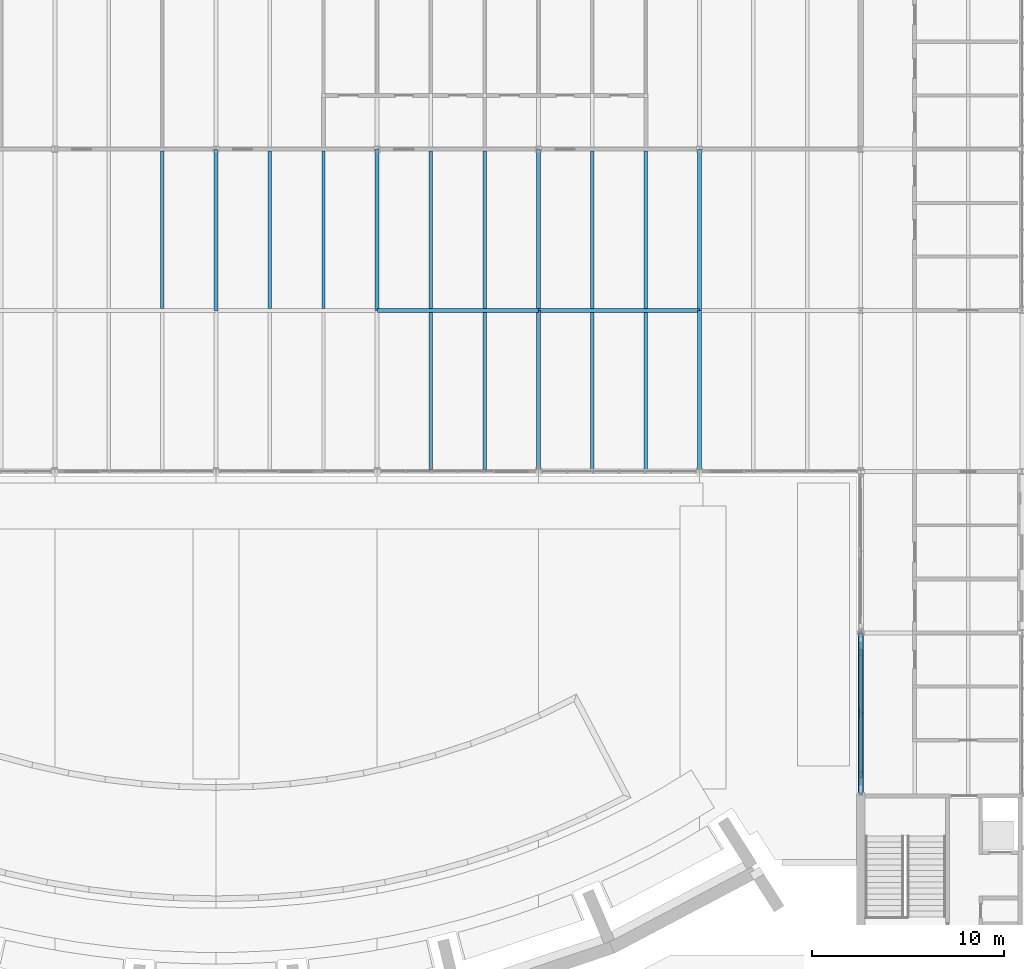
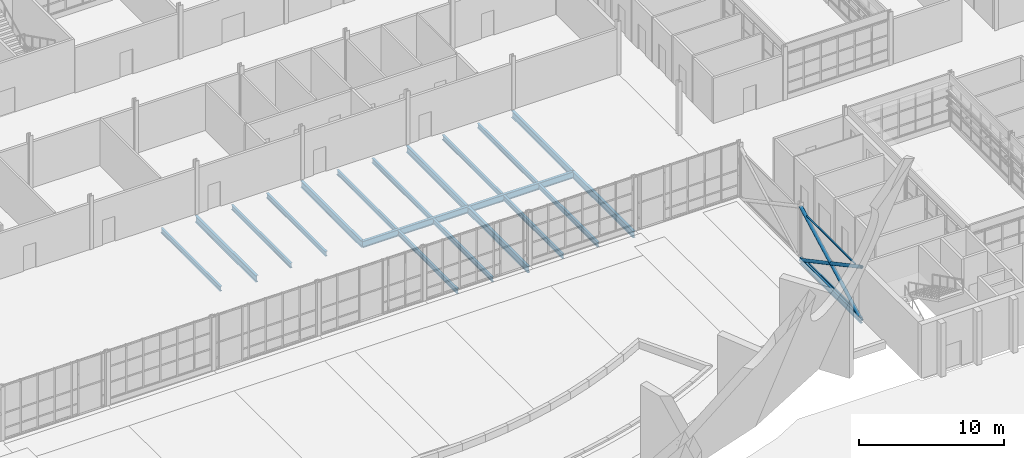
# One storey, part 45 of 116: 20 beams, 5 members, 1 element without a shape of its own.
"""IFC4 building model written with IfcOpenShell, lengths in metres."""

import ifcopenshell
import ifcopenshell.guid

model = None  # the IFC model being written
_history = None  # IfcOwnerHistory: only IFC2X3 demands one
_inside = {}  # id of a spatial element -> (the spatial element, [elements in it])
_under = {}  # id of a project, library or spatial element -> (it, [spatial elements below it])
_declared = {}  # id of a project -> (the project, [libraries it declares])
_typed = {}  # id of a type object -> (the type object, [elements of that type])
_made_of = {}  # id of a material, layer set ... -> (it, [elements and type objects made of it])


def new_model(schema):
    """Start an empty IFC model of exactly this schema.

    Asked for "IFC4X3", IfcOpenShell would pick the latest addendum, in which some entities
    have other attributes; the version numbers below select the first issue.
    IFC2X3 requires an IfcOwnerHistory on every rooted entity: one is made here for all.
    """
    global model, _history
    if schema == "IFC4X3":
        model = ifcopenshell.file(schema_version=(4, 3, 0, 0))
    else:
        model = ifcopenshell.file(schema=schema)
    _inside.clear()
    _under.clear()
    _declared.clear()
    _typed.clear()
    _made_of.clear()
    _history = None
    if model.schema == "IFC2X3":
        org = make("IfcOrganization", Name="unknown")
        user = make(
            "IfcPersonAndOrganization",
            ThePerson=make("IfcPerson", FamilyName="unknown"),
            TheOrganization=org,
        )
        app = make(
            "IfcApplication",
            ApplicationDeveloper=org,
            Version="unknown",
            ApplicationFullName="unknown",
            ApplicationIdentifier="unknown",
        )
        _history = make(
            "IfcOwnerHistory",
            OwningUser=user,
            OwningApplication=app,
            ChangeAction="ADDED",
            CreationDate=0,
        )
    return model


def make(cls, **values):
    """One entity of the class cls with the attributes given. An attribute that is None is left unset."""
    return model.create_entity(
        cls, **{name: value for name, value in values.items() if value is not None}
    )


def rooted(cls, **values):
    """An entity with a GlobalId (a new one), such as an element, a storey or a relation."""
    return make(cls, GlobalId=ifcopenshell.guid.new(), OwnerHistory=_history, **values)


def si_unit(unit_type, name, prefix=None):
    """IfcSIUnit, for example si_unit("LENGTHUNIT", "METRE", prefix="MILLI")."""
    return make("IfcSIUnit", UnitType=unit_type, Prefix=prefix, Name=name)


def assignment(units):
    """IfcUnitAssignment: the units of a project."""
    return None if units is None else make("IfcUnitAssignment", Units=units)


def point(xyz):
    """IfcCartesianPoint."""
    return None if xyz is None else make("IfcCartesianPoint", Coordinates=xyz)


def direction(xyz):
    """IfcDirection."""
    return None if xyz is None else make("IfcDirection", DirectionRatios=xyz)


def frame(location, z_axis=None, x_axis=None):
    """IfcAxis2Placement3D, a coordinate frame: its origin and axes. An axis left out is left unset."""
    return make(
        "IfcAxis2Placement3D",
        Location=point(location),
        Axis=direction(z_axis),
        RefDirection=direction(x_axis),
    )


def frame_2d(location, x_axis=None):
    """IfcAxis2Placement2D, a coordinate frame in the plane: its origin and x axis."""
    return make(
        "IfcAxis2Placement2D", Location=point(location), RefDirection=direction(x_axis)
    )


def origin():
    """The frame at (0, 0, 0) with its axes left unset."""
    return frame((0.0, 0.0, 0.0))


def origin_2d():
    """The frame at (0, 0) in the plane with its x axis left unset."""
    return frame_2d((0.0, 0.0))


def place(relative_to, where):
    """IfcLocalPlacement: puts the frame where relative to a parent placement (None: the world)."""
    return make(
        "IfcLocalPlacement", PlacementRelTo=relative_to, RelativePlacement=where
    )


def context(
    kind, dimensions, precision=None, world=None, true_north=None, identifier=None
):
    """IfcGeometricRepresentationContext, for example the 3D "Model" context."""
    return make(
        "IfcGeometricRepresentationContext",
        ContextIdentifier=identifier,
        ContextType=kind,
        CoordinateSpaceDimension=dimensions,
        Precision=precision,
        WorldCoordinateSystem=world,
        TrueNorth=true_north,
    )


def subcontext(parent, identifier, kind, view, scale=None):
    """IfcGeometricRepresentationSubContext, for example "Body" below "Model"."""
    return make(
        "IfcGeometricRepresentationSubContext",
        ContextIdentifier=identifier,
        ContextType=kind,
        ParentContext=parent,
        TargetScale=scale,
        TargetView=view,
    )


def project(units=None, contexts=None):
    """IfcProject with its units and contexts."""
    return rooted(
        "IfcProject",
        Name="project",
        RepresentationContexts=contexts,
        UnitsInContext=assignment(units),
    )


def spatial(cls, under=None, at=None, **own):
    """A site, building, storey or space (cls), placed at a placement, below another one or the project."""
    s = rooted(cls, ObjectPlacement=at, **own)
    if under is not None:
        _under.setdefault(under.id(), (under, []))[1].append(s)
    return s


def profile(cls, at=None, kind="AREA", **sizes):
    """A parametric profile (cls). Its sizes go by their IFC names, for example OverallWidth=200.0."""
    return make(cls, ProfileType=kind, Position=at, **sizes)


def rectangle(**sizes):
    """IfcRectangleProfileDef."""
    return profile("IfcRectangleProfileDef", **sizes)


def hollow_circle(**sizes):
    """IfcCircleHollowProfileDef."""
    return profile("IfcCircleHollowProfileDef", **sizes)


def i_section(**sizes):
    """IfcIShapeProfileDef."""
    return profile("IfcIShapeProfileDef", **sizes)


def extrude(swept, where, along, depth):
    """IfcExtrudedAreaSolid: the profile swept, set in the frame where, extruded along a direction by depth."""
    return make(
        "IfcExtrudedAreaSolid",
        SweptArea=swept,
        Position=where,
        ExtrudedDirection=direction(along),
        Depth=depth,
    )


def shape(context_of_items, identifier, shape_type, items):
    """IfcShapeRepresentation: the items that make up one representation, for example the "Body"."""
    return make(
        "IfcShapeRepresentation",
        ContextOfItems=context_of_items,
        RepresentationIdentifier=identifier,
        RepresentationType=shape_type,
        Items=items,
    )


def material(Name=None, Category=None):
    """IfcMaterial."""
    return make("IfcMaterial", Name=Name, Category=Category)


def layer(
    of_material, thickness, ventilated=None, Name=None, Category=None, Priority=None
):
    """IfcMaterialLayer: one layer of a wall or slab, of a material (None: an air gap)."""
    return make(
        "IfcMaterialLayer",
        Material=of_material,
        LayerThickness=thickness,
        IsVentilated=ventilated,
        Name=Name,
        Category=Category,
        Priority=Priority,
    )


def layer_set(layers, Name=None):
    """IfcMaterialLayerSet."""
    return make("IfcMaterialLayerSet", MaterialLayers=layers, LayerSetName=Name)


def material_profile(
    of_material, cross_section, Name=None, Category=None, Priority=None
):
    """IfcMaterialProfile: a cross section and its material."""
    return make(
        "IfcMaterialProfile",
        Name=Name,
        Material=of_material,
        Profile=cross_section,
        Priority=Priority,
        Category=Category,
    )


def profile_set(profiles, Name=None, composite=None):
    """IfcMaterialProfileSet."""
    return make(
        "IfcMaterialProfileSet",
        Name=Name,
        MaterialProfiles=profiles,
        CompositeProfile=composite,
    )


def made_of(thing, what):
    """Note that an element or type object is made of a material, layer set ...; save() writes the relation."""
    if what is not None:
        _made_of.setdefault(what.id(), (what, []))[1].append(thing)
    return thing


def type_object(cls, material=None, **own):
    """A type object (cls), such as IfcWallType, which elements share."""
    return made_of(rooted(cls, **own), material)


def element(
    cls,
    number,
    at=None,
    inside=None,
    cuts=None,
    type_object=None,
    material=None,
    context=None,
    identifier="Body",
    shape_type=None,
    held_by="IfcProductDefinitionShape",
    body=None,
    shapes=None,
    **own,
):
    """One element of the class cls, such as IfcWall. Its Tag is "e" and its number.

    at: its placement. inside: the storey or other place that contains it. cuts: it is an
    opening in that element (IfcRelVoidsElement). A single representation is given by context,
    identifier, shape_type and body (its items); several are given by shapes. held_by: the class
    of the entity that holds the representations. save() writes the other relations.
    """
    e = rooted(cls, Tag="e%d" % number, ObjectPlacement=at, **own)
    if body is not None:
        shapes = [shape(context, identifier, shape_type, body)]
    if shapes is not None:
        e.Representation = make(held_by, Representations=shapes)
    if inside is not None:
        _inside.setdefault(inside.id(), (inside, []))[1].append(e)
    if cuts is not None:
        rooted(
            "IfcRelVoidsElement", RelatingBuildingElement=cuts, RelatedOpeningElement=e
        )
    if type_object is not None:
        _typed.setdefault(type_object.id(), (type_object, []))[1].append(e)
    return made_of(e, material)


def aggregate(whole, parts):
    """IfcRelAggregates: a whole, such as a stair, and the parts it consists of."""
    return rooted("IfcRelAggregates", RelatingObject=whole, RelatedObjects=parts)


def save(model, path):
    """Write the relations noted so far, then the file.

    IfcRelAggregates (storeys below a building ...), IfcRelContainedInSpatialStructure (elements
    in a storey), IfcRelDefinesByType, IfcRelAssociatesMaterial and IfcRelDeclares: one each for
    every whole, place, type object, material and project.
    """
    for whole, parts in _under.values():
        aggregate(whole, parts)
    for where, things in _inside.values():
        rooted(
            "IfcRelContainedInSpatialStructure",
            RelatedElements=things,
            RelatingStructure=where,
        )
    for kind, things in _typed.values():
        rooted("IfcRelDefinesByType", RelatedObjects=things, RelatingType=kind)
    for what, things in _made_of.values():
        rooted("IfcRelAssociatesMaterial", RelatedObjects=things, RelatingMaterial=what)
    for by, libraries in _declared.values():
        rooted("IfcRelDeclares", RelatingContext=by, RelatedDefinitions=libraries)
    model.write(path)


model = new_model("IFC4")

# Units and contexts
model_context = context("Model", 3, precision=1e-05, world=origin(), true_north=direction((0.0, 1.0)))
body_context = subcontext(model_context, "Body", "Model", "MODEL_VIEW")
ifc_project = project(units=[si_unit("LENGTHUNIT", "METRE"), si_unit("AREAUNIT", "SQUARE_METRE"), si_unit("VOLUMEUNIT", "CUBIC_METRE"), si_unit("PLANEANGLEUNIT", "RADIAN"), si_unit("MASSUNIT", "GRAM", prefix="KILO")], contexts=[model_context])

# Site, building, storey
site_placement = place(None, origin())
site = spatial("IfcSite", under=ifc_project, at=site_placement, CompositionType="ELEMENT")
building_placement = place(site_placement, origin())
building = spatial("IfcBuilding", under=site, at=building_placement, Name="Ardhachandra Cancer Care Centre", CompositionType="ELEMENT")
storey_placement = place(building_placement, origin())
storey = spatial("IfcBuildingStorey", under=building, at=storey_placement, Name="L00", CompositionType="ELEMENT", Elevation=0.0)

# Beams
ifc_material_1 = material(Name="Steel E350 (IS 2062)", Category="steel")
ifc_material_profile_1 = material_profile(ifc_material_1, i_section(OverallWidth=0.179931640625, OverallDepth=0.39990234375, WebThickness=0.008544921875, FlangeThickness=0.013427734375, FilletRadius=0.02099609375, at=origin_2d()), Name="NPB 400x180x66.30")
ifc_profile_set_1 = profile_set([ifc_material_profile_1], Name="Steel E350 (IS 2062)")
beam_type_1 = type_object("IfcBeamType", Name="Beam NPB 400x180x66.30", PredefinedType="BEAM", material=ifc_profile_set_1)
for number, where, z_axis, x_axis, name in (
    (1, (75.199951171875, 63.10498046875, -0.35009765625), (0.0, 1.0, 0.0), (-1.0, 0.0, 0.0), "Secondary G8-H8@5600"),
    (2, (80.800048828125, 63.10498046875, -0.35009765625), (0.0, 1.0, 0.0), (-1.0, 0.0, 0.0), "Secondary G9-H9@2800"),
    (3, (83.60009765625, 63.10498046875, -0.35009765625), (0.0, 1.0, 0.0), (-1.0, 0.0, 0.0), "Secondary G9-H9@5600"),
):
    element("IfcBeam", number, at=place(storey_placement, frame(where, z_axis=z_axis, x_axis=x_axis)), inside=storey, type_object=beam_type_1, Name=name, PredefinedType="BEAM", context=body_context, shape_type="SweptSolid", body=[
        extrude(i_section(OverallWidth=0.179931640625, OverallDepth=0.39990234375, WebThickness=0.008544921875, FlangeThickness=0.013427734375, FilletRadius=0.02099609375, at=origin_2d()), origin(), (0.0, 0.0, 1.0), 8.18994140625),
    ])
beam_1_placement = place(storey_placement, frame((89.199951171875, 54.699951171875, -0.35009765625), z_axis=(0.0, 1.0, 0.0), x_axis=(-1.0, 0.0, 0.0)))
element("IfcBeam", 4, at=beam_1_placement, inside=storey, type_object=beam_type_1, Name="Secondary F10-G10@2800", PredefinedType="BEAM", context=body_context, shape_type="SweptSolid", body=[
    extrude(i_section(OverallWidth=0.179931640625, OverallDepth=0.39990234375, WebThickness=0.008544921875, FlangeThickness=0.013427734375, FilletRadius=0.02099609375, at=origin_2d()), origin(), (0.0, 0.0, 1.0), 8.195068359375),
])
beam_2_placement = place(storey_placement, frame((89.199951171875, 63.10498046875, -0.35009765625), z_axis=(0.0, 1.0, 0.0), x_axis=(-1.0, 0.0, 0.0)))
element("IfcBeam", 5, at=beam_2_placement, inside=storey, type_object=beam_type_1, Name="Secondary G10-H10@2800", PredefinedType="BEAM", context=body_context, shape_type="SweptSolid", body=[
    extrude(i_section(OverallWidth=0.179931640625, OverallDepth=0.39990234375, WebThickness=0.008544921875, FlangeThickness=0.013427734375, FilletRadius=0.02099609375, at=origin_2d()), origin(), (0.0, 0.0, 1.0), 8.18994140625),
])
beam_3_placement = place(storey_placement, frame((92.0, 54.699951171875, -0.35009765625), z_axis=(0.0, 1.0, 0.0), x_axis=(-1.0, 0.0, 0.0)))
element("IfcBeam", 6, at=beam_3_placement, inside=storey, type_object=beam_type_1, Name="Secondary F10-G10@5600", PredefinedType="BEAM", context=body_context, shape_type="SweptSolid", body=[
    extrude(i_section(OverallWidth=0.179931640625, OverallDepth=0.39990234375, WebThickness=0.008544921875, FlangeThickness=0.013427734375, FilletRadius=0.02099609375, at=origin_2d()), origin(), (0.0, 0.0, 1.0), 8.195068359375),
])
beam_4_placement = place(storey_placement, frame((92.0, 63.10498046875, -0.35009765625), z_axis=(0.0, 1.0, 0.0), x_axis=(-1.0, 0.0, 0.0)))
element("IfcBeam", 7, at=beam_4_placement, inside=storey, type_object=beam_type_1, Name="Secondary G10-H10@5600", PredefinedType="BEAM", context=body_context, shape_type="SweptSolid", body=[
    extrude(i_section(OverallWidth=0.179931640625, OverallDepth=0.39990234375, WebThickness=0.008544921875, FlangeThickness=0.013427734375, FilletRadius=0.02099609375, at=origin_2d()), origin(), (0.0, 0.0, 1.0), 8.18994140625),
])
beam_5_placement = place(storey_placement, frame((97.60009765625, 54.699951171875, -0.35009765625), z_axis=(0.0, 1.0, 0.0), x_axis=(-1.0, 0.0, 0.0)))
element("IfcBeam", 8, at=beam_5_placement, inside=storey, type_object=beam_type_1, Name="Secondary F11-G11@2800", PredefinedType="BEAM", context=body_context, shape_type="SweptSolid", body=[
    extrude(i_section(OverallWidth=0.179931640625, OverallDepth=0.39990234375, WebThickness=0.008544921875, FlangeThickness=0.013427734375, FilletRadius=0.02099609375, at=origin_2d()), origin(), (0.0, 0.0, 1.0), 8.195068359375),
])
beam_6_placement = place(storey_placement, frame((97.60009765625, 63.10498046875, -0.35009765625), z_axis=(0.0, 1.0, 0.0), x_axis=(-1.0, 0.0, 0.0)))
element("IfcBeam", 9, at=beam_6_placement, inside=storey, type_object=beam_type_1, Name="Secondary G11-H11@2800", PredefinedType="BEAM", context=body_context, shape_type="SweptSolid", body=[
    extrude(i_section(OverallWidth=0.179931640625, OverallDepth=0.39990234375, WebThickness=0.008544921875, FlangeThickness=0.013427734375, FilletRadius=0.02099609375, at=origin_2d()), origin(), (0.0, 0.0, 1.0), 8.18994140625),
])
beam_7_placement = place(storey_placement, frame((100.39990234375, 54.699951171875, -0.35009765625), z_axis=(0.0, 1.0, 0.0), x_axis=(-1.0, 0.0, 0.0)))
element("IfcBeam", 10, at=beam_7_placement, inside=storey, type_object=beam_type_1, Name="Secondary F11-G11@5600", PredefinedType="BEAM", context=body_context, shape_type="SweptSolid", body=[
    extrude(i_section(OverallWidth=0.179931640625, OverallDepth=0.39990234375, WebThickness=0.008544921875, FlangeThickness=0.013427734375, FilletRadius=0.02099609375, at=origin_2d()), origin(), (0.0, 0.0, 1.0), 8.195068359375),
])
beam_8_placement = place(storey_placement, frame((100.39990234375, 63.10498046875, -0.35009765625), z_axis=(0.0, 1.0, 0.0), x_axis=(-1.0, 0.0, 0.0)))
element("IfcBeam", 11, at=beam_8_placement, inside=storey, type_object=beam_type_1, Name="Secondary G11-H11@5600", PredefinedType="BEAM", context=body_context, shape_type="SweptSolid", body=[
    extrude(i_section(OverallWidth=0.179931640625, OverallDepth=0.39990234375, WebThickness=0.008544921875, FlangeThickness=0.013427734375, FilletRadius=0.02099609375, at=origin_2d()), origin(), (0.0, 0.0, 1.0), 8.18994140625),
])
ifc_material_2 = material(Name="Steel E350 (IS 2062)", Category="steel")
ifc_material_profile_2 = material_profile(ifc_material_2, i_section(OverallWidth=0.199951171875, OverallDepth=0.5, WebThickness=0.01025390625, FlangeThickness=0.01611328125, FilletRadius=0.02099609375, at=origin_2d()), Name="NPB 500x200x90.68")
ifc_profile_set_2 = profile_set([ifc_material_profile_2], Name="Steel E350 (IS 2062)")
beam_type_2 = type_object("IfcBeamType", Name="Beam NPB 500x200x90.68", PredefinedType="BEAM", material=ifc_profile_set_2)
beam_9_placement = place(storey_placement, frame((111.60009765625, 37.800048828125, -0.39990234375), z_axis=(0.0, 1.0, 0.0), x_axis=(-1.0, 0.0, 0.0)))
element("IfcBeam", 12, at=beam_9_placement, inside=storey, type_object=beam_type_2, Name="Edge girder D13-E13", PredefinedType="BEAM", context=body_context, shape_type="SweptSolid", body=[
    extrude(i_section(OverallWidth=0.199951171875, OverallDepth=0.5, WebThickness=0.01025390625, FlangeThickness=0.01611328125, FilletRadius=0.02099609375, at=origin_2d()), origin(), (0.0, 0.0, 1.0), 8.39990234375),
])
ifc_material_3 = material(Name="Steel E350 (IS 2062)", Category="steel")
ifc_material_profile_3 = material_profile(ifc_material_3, i_section(OverallWidth=0.2099609375, OverallDepth=0.550048828125, WebThickness=0.010986328125, FlangeThickness=0.01708984375, FilletRadius=0.02392578125, at=origin_2d()), Name="NPB 550x210x105.52")
ifc_profile_set_3 = profile_set([ifc_material_profile_3], Name="Steel E350 (IS 2062)")
beam_type_3 = type_object("IfcBeamType", Name="Beam NPB 550x210x105.52", PredefinedType="BEAM", material=ifc_profile_set_3)
beam_10_placement = place(storey_placement, frame((86.39990234375, 63.0, -0.425048828125), z_axis=(1.0, 0.0, 0.0), x_axis=(0.0, 1.0, 0.0)))
element("IfcBeam", 13, at=beam_10_placement, inside=storey, type_object=beam_type_3, Name="Girder G10-G11", PredefinedType="BEAM", context=body_context, shape_type="SweptSolid", body=[
    extrude(i_section(OverallWidth=0.2099609375, OverallDepth=0.550048828125, WebThickness=0.010986328125, FlangeThickness=0.01708984375, FilletRadius=0.02392578125, at=origin_2d()), origin(), (0.0, 0.0, 1.0), 8.400146484375),
])
for number, where, z_axis, x_axis, name in (
    (14, (94.800048828125, 63.0, -0.425048828125), (1.0, 0.0, 0.0), (0.0, 1.0, 0.0), "Girder G11-G12"),
    (15, (78.0, 63.0, -0.425048828125), (0.0, 1.0, 0.0), (-1.0, 0.0, 0.0), "Girder G9-H9"),
    (16, (86.39990234375, 63.0, -0.425048828125), (0.0, 1.0, 0.0), (-1.0, 0.0, 0.0), "Girder G10-H10"),
    (17, (94.800048828125, 54.60009765625, -0.425048828125), (0.0, 1.0, 0.0), (-1.0, 0.0, 0.0), "Girder F11-G11"),
    (18, (94.800048828125, 63.0, -0.425048828125), (0.0, 1.0, 0.0), (-1.0, 0.0, 0.0), "Girder G11-H11"),
    (19, (103.199951171875, 54.60009765625, -0.425048828125), (0.0, 1.0, 0.0), (-1.0, 0.0, 0.0), "Girder F12-G12"),
    (20, (103.199951171875, 63.0, -0.425048828125), (0.0, 1.0, 0.0), (-1.0, 0.0, 0.0), "Girder G12-H12"),
):
    element("IfcBeam", number, at=place(storey_placement, frame(where, z_axis=z_axis, x_axis=x_axis)), inside=storey, type_object=beam_type_3, Name=name, PredefinedType="BEAM", context=body_context, shape_type="SweptSolid", body=[
        extrude(i_section(OverallWidth=0.2099609375, OverallDepth=0.550048828125, WebThickness=0.010986328125, FlangeThickness=0.01708984375, FilletRadius=0.02392578125, at=origin_2d()), origin(), (0.0, 0.0, 1.0), 8.39990234375),
    ])

# Members
ifc_material_4 = material(Name="Steel E350 (IS 2062)", Category="steel")
ifc_material_profile_4 = material_profile(ifc_material_4, hollow_circle(Radius=0.136474609375, WallThickness=0.010009765625, at=origin_2d()), Name="CHS 273x10.0")
ifc_profile_set_4 = profile_set([ifc_material_profile_4], Name="Steel E350 (IS 2062)")
member_type_1 = type_object("IfcMemberType", Name="Brace CHS 273x10.0", PredefinedType="BRACE", material=ifc_profile_set_4)
member_1_placement = place(storey_placement, frame((111.60009765625, 37.800048828125, -0.39990234375), z_axis=(0.0, 0.881477684796, 0.472225678258), x_axis=(-1.0, 0.0, 0.0)))
element("IfcMember", 21, at=member_1_placement, inside=storey, type_object=member_type_1, Name="Brace V4-Y1116-378 L00 A", PredefinedType="BRACE", context=body_context, shape_type="SweptSolid", body=[
    extrude(hollow_circle(Radius=0.136474609375, WallThickness=0.010009765625, at=origin_2d()), origin(), (0.0, 0.0, 1.0), 9.529296875),
])
for number, where, z_axis, x_axis, name in (
    (22, (111.60009765625, 46.199951171875, -0.39990234375), (0.0, -0.881477684796, 0.472225678258), (1.0, 0.0, 0.0), "Brace V4-Y1116-378 L00 B1"),
    (23, (111.60009765625, 42.0, 1.85009765625), (0.0, -0.881477684796, 0.472225678258), (1.0, 0.0, 0.0), "Brace V4-Y1116-378 L00 B2"),
):
    element("IfcMember", number, at=place(storey_placement, frame(where, z_axis=z_axis, x_axis=x_axis)), inside=storey, type_object=member_type_1, Name=name, PredefinedType="BRACE", context=body_context, shape_type="SweptSolid", body=[
        extrude(hollow_circle(Radius=0.136474609375, WallThickness=0.010009765625, at=origin_2d()), origin(), (0.0, 0.0, 1.0), 4.7646484375),
    ])

# Curtain wall, members
ifc_material_5 = material(Name="Aluminium extrusion", Category="aluminium")
ifc_layer = layer(ifc_material_5, 0.14990234375)
ifc_layer_set = layer_set([ifc_layer], Name="Aluminium extrusion")
curtain_wall_type = type_object("IfcCurtainWallType", Name="Curtain wall run", PredefinedType="NOTDEFINED", material=ifc_layer_set)
curtain_wall_placement = place(storey_placement, origin())
curtain_wall = element("IfcCurtainWall", 24, at=curtain_wall_placement, inside=storey, type_object=curtain_wall_type, Name="Curtain wall L00 w/0111600_0037800", PredefinedType="NOTDEFINED")
ifc_material_6 = material(Name="Aluminium extrusion", Category="aluminium")
ifc_material_profile_5 = material_profile(ifc_material_6, rectangle(XDim=0.1201171875, YDim=0.06005859375, at=origin_2d()), Name="Curtain wall transom 60 x 120")
ifc_profile_set_5 = profile_set([ifc_material_profile_5], Name="Aluminium extrusion")
member_type_2 = type_object("IfcMemberType", Name="Curtain wall transom 60 x 120", PredefinedType="USERDEFINED", material=ifc_profile_set_5)
member_2_placement = place(storey_placement, frame((111.60009765625, 38.950927734375, 0.030029296875), z_axis=(0.0, 1.0, 0.0), x_axis=(-1.0, 0.0, 0.0)))
member_2 = element("IfcMember", 25, at=member_2_placement, type_object=member_type_2, Name="CW transom 1.1", ObjectType="TRANSOM", PredefinedType="USERDEFINED", context=body_context, shape_type="SweptSolid", body=[
    extrude(rectangle(XDim=0.1201171875, YDim=0.06005859375, at=origin_2d()), origin(), (0.0, 0.0, 1.0), 6.09912109375),
])
member_3_placement = place(storey_placement, frame((111.60009765625, 38.669921875, 3.820068359375), z_axis=(0.0, 1.0, 0.0), x_axis=(-1.0, 0.0, 0.0)))
member_3 = element("IfcMember", 26, at=member_3_placement, type_object=member_type_2, Name="CW transom 1.2", ObjectType="TRANSOM", PredefinedType="USERDEFINED", context=body_context, shape_type="SweptSolid", body=[
    extrude(rectangle(XDim=0.1201171875, YDim=0.06005859375, at=origin_2d()), origin(), (0.0, 0.0, 1.0), 6.66015625),
])
aggregate(curtain_wall, [member_2, member_3])

save(model, "model.ifc")
